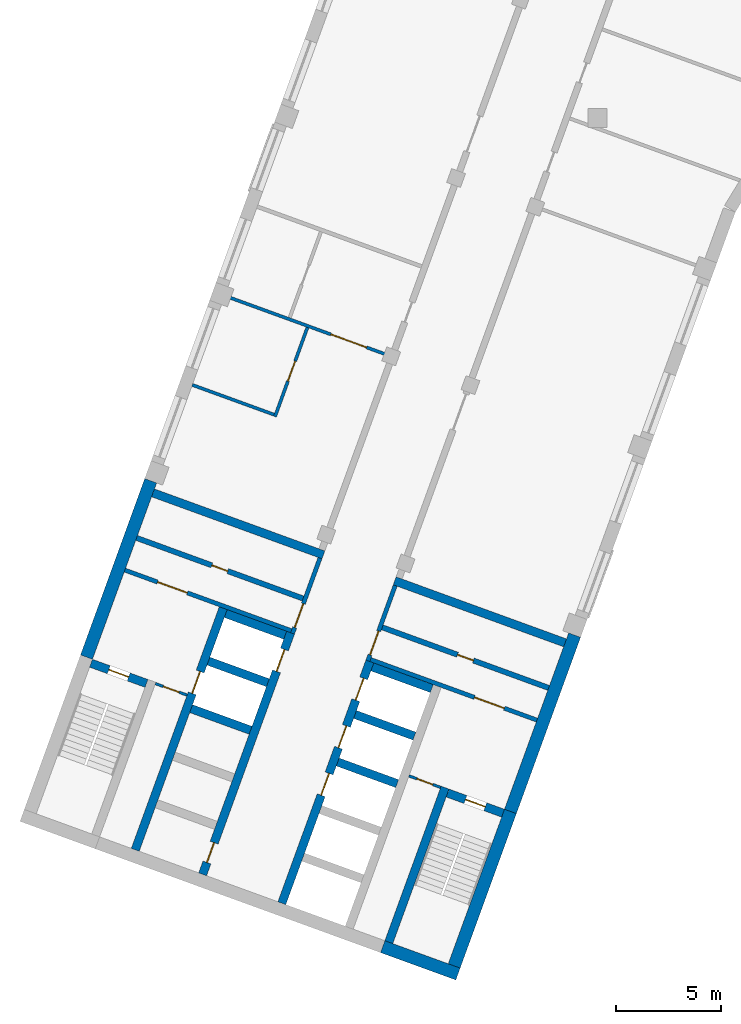
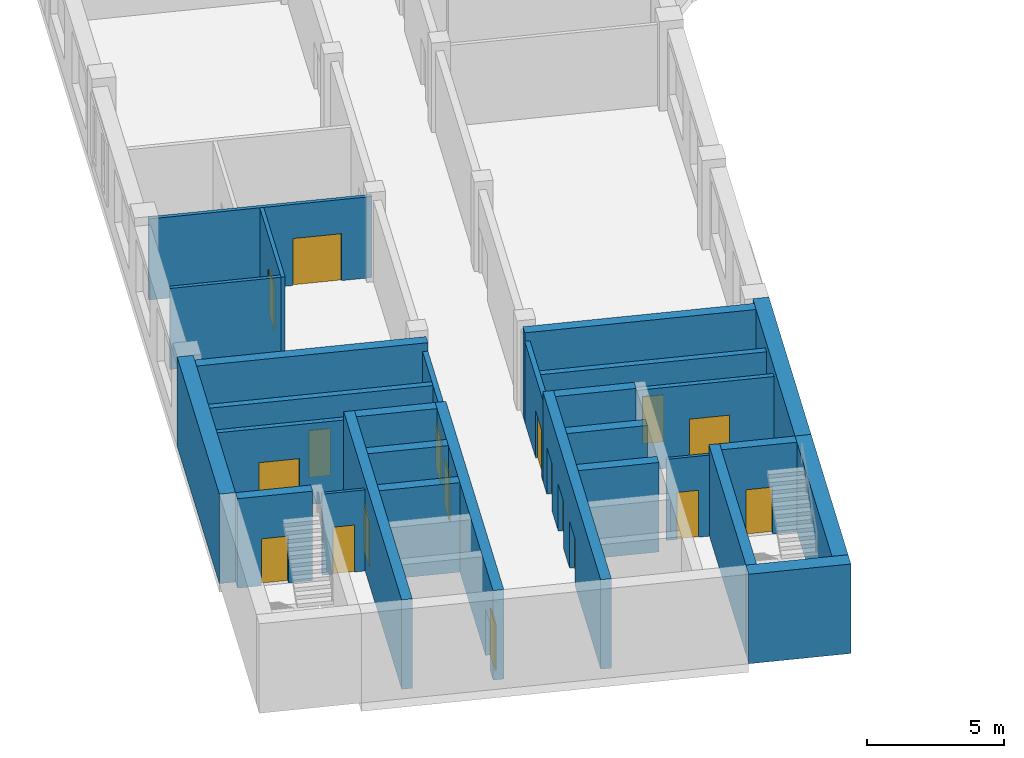
# One storey, part 2 of 12: 29 walls, 18 doors, 18 openings.
"""IFC4 building model written with IfcOpenShell, lengths in metres."""

from ifc_helpers import new_model, si_unit, direction, frame, frame_2d, origin, place, context, subcontext, project, spatial, rectangle, extrude, material, layer, layer_set, type_object, element, fill, save


model = new_model("IFC4")

# Units and contexts
model_context = context("Model", 3, precision=1e-05, world=origin(), true_north=direction((0.0, 1.0)))
body_context = subcontext(model_context, "Body", "Model", "MODEL_VIEW")
ifc_project = project(units=[si_unit("LENGTHUNIT", "METRE"), si_unit("AREAUNIT", "SQUARE_METRE"), si_unit("VOLUMEUNIT", "CUBIC_METRE"), si_unit("PLANEANGLEUNIT", "RADIAN"), si_unit("MASSUNIT", "GRAM", prefix="KILO")], contexts=[model_context])

# Site, building, storey
site_placement = place(None, origin())
site = spatial("IfcSite", under=ifc_project, at=site_placement, CompositionType="ELEMENT")
building_placement = place(site_placement, origin())
building = spatial("IfcBuilding", under=site, at=building_placement, Name="Skarvind Civic Tower", CompositionType="ELEMENT")
storey_placement = place(building_placement, frame((0.0, 0.0, 47.5)))
storey = spatial("IfcBuildingStorey", under=building, at=storey_placement, Name="L10", CompositionType="ELEMENT", Elevation=47.5)

# Wall, opening, door
ifc_material_1 = material(Name="Fire-rated masonry partition", Category="masonry")
ifc_layer_1 = layer(ifc_material_1, 0.199951171875)
ifc_layer_set_1 = layer_set([ifc_layer_1], Name="Core enclosure wall 200")
wall_type_1 = type_object("IfcWallType", Name="Core enclosure wall 200", PredefinedType="PARTITIONING", material=ifc_layer_set_1)
wall_1_placement = place(storey_placement, frame((31.491455078125, 93.693359375, 0.0), z_axis=(0.0, 0.0, 1.0), x_axis=(0.341995824804, 0.939701471648, 0.0)))
wall_1 = element("IfcWall", 1, at=wall_1_placement, inside=storey, type_object=wall_type_1, Name="Core wall C2", PredefinedType="PARTITIONING", context=body_context, shape_type="SweptSolid", body=[
    extrude(rectangle(XDim=3.800048828125, YDim=0.199951171875, at=frame_2d((1.89990234375, 0.0))), origin(), (0.0, 0.0, 1.0), 3.625),
])
opening_1_placement = place(wall_1_placement, frame((0.300048828125, 0.0, 0.0)))
opening_1 = element("IfcOpeningElement", 2, at=opening_1_placement, cuts=wall_1, Name="Opening D-L10-C2-06", PredefinedType="OPENING", context=body_context, shape_type="SweptSolid", body=[
    extrude(rectangle(XDim=1.199951171875, YDim=2.10009765625, at=frame_2d((0.60009765625, 1.050048828125))), frame((0.0, 0.10986328125, 0.0), z_axis=(0.0, -1.0, 0.0), x_axis=(1.0, 0.0, 0.0)), (0.0, 0.0, 1.0), 0.219970703125),
])
ifc_material_2 = material(Name="Fire-rated steel door", Category="steel")
door_type_1 = type_object("IfcDoorType", Name="Core lobby door 1200", OperationType="NOTDEFINED", PredefinedType="DOOR", material=ifc_material_2)
door_1_placement = place(opening_1_placement, origin())
door_1 = element("IfcDoor", 3, at=door_1_placement, inside=storey, type_object=door_type_1, Name="Fire door", OperationType="DOUBLE_DOOR_SINGLE_SWING", OverallHeight=2.10009765625, OverallWidth=1.199951171875, PredefinedType="DOOR", context=body_context, shape_type="SweptSolid", body=[
    extrude(rectangle(XDim=1.199951171875, YDim=2.10009765625, at=frame_2d((0.60009765625, 1.050048828125))), frame((0.0, 0.02490234375, 0.0), z_axis=(0.0, -1.0, 0.0), x_axis=(1.0, 0.0, 0.0)), (0.0, 0.0, 1.0), 0.050048828125),
])
fill(opening_1, door_1)

wall_2_placement = place(storey_placement, frame((23.5380859375, 96.6943359375, 0.0), z_axis=(0.0, 0.0, 1.0), x_axis=(0.939691552312, -0.342023078919, 0.0)))
wall_2 = element("IfcWall", 4, at=wall_2_placement, inside=storey, type_object=wall_type_1, Name="Core wall C2", PredefinedType="PARTITIONING", context=body_context, shape_type="SweptSolid", body=[
    extrude(rectangle(XDim=8.400146484375, YDim=0.199951171875, at=frame_2d((4.2001953125, 0.0))), origin(), (0.0, 0.0, 1.0), 3.625),
])
opening_2_placement = place(wall_2_placement, frame((1.64990234375, 0.0, 0.0)))
opening_2 = element("IfcOpeningElement", 5, at=opening_2_placement, cuts=wall_2, Name="Opening D-L10-C2-07", PredefinedType="OPENING", context=body_context, shape_type="SweptSolid", body=[
    extrude(rectangle(XDim=1.5, YDim=2.10009765625, at=frame_2d((0.75, 1.050048828125))), frame((0.0, 0.10986328125, 0.0), z_axis=(0.0, -1.0, 0.0), x_axis=(1.0, 0.0, 0.0)), (0.0, 0.0, 1.0), 0.219970703125),
])
door_type_2 = type_object("IfcDoorType", Name="Fire door 1500", OperationType="NOTDEFINED", PredefinedType="DOOR", material=ifc_material_2)
door_2_placement = place(opening_2_placement, origin())
door_2 = element("IfcDoor", 6, at=door_2_placement, inside=storey, type_object=door_type_2, Name="Fire door", OperationType="DOUBLE_DOOR_SINGLE_SWING", OverallHeight=2.10009765625, OverallWidth=1.5, PredefinedType="DOOR", context=body_context, shape_type="SweptSolid", body=[
    extrude(rectangle(XDim=1.5, YDim=2.10009765625, at=frame_2d((0.75, 1.050048828125))), frame((0.0, 0.02490234375, 0.0), z_axis=(0.0, -1.0, 0.0), x_axis=(1.0, 0.0, 0.0)), (0.0, 0.0, 1.0), 0.050048828125),
])
fill(opening_2, door_2)

wall_3_placement = place(storey_placement, frame((36.36181640625, 95.96435546875, 0.0), z_axis=(0.0, 0.0, 1.0), x_axis=(-0.341995824804, -0.939701471648, 0.0)))
wall_3 = element("IfcWall", 7, at=wall_3_placement, inside=storey, type_object=wall_type_1, Name="Core wall C2", PredefinedType="PARTITIONING", context=body_context, shape_type="SweptSolid", body=[
    extrude(rectangle(XDim=3.800048828125, YDim=0.199951171875, at=frame_2d((1.89990234375, 0.0))), origin(), (0.0, 0.0, 1.0), 3.625),
])
opening_3_placement = place(wall_3_placement, frame((2.300048828125, 0.0, 0.0)))
opening_3 = element("IfcOpeningElement", 8, at=opening_3_placement, cuts=wall_3, Name="Opening D-L10-C2-11", PredefinedType="OPENING", context=body_context, shape_type="SweptSolid", body=[
    extrude(rectangle(XDim=1.199951171875, YDim=2.10009765625, at=frame_2d((0.60009765625, 1.050048828125))), frame((0.0, 0.10986328125, 0.0), z_axis=(0.0, -1.0, 0.0), x_axis=(1.0, 0.0, 0.0)), (0.0, 0.0, 1.0), 0.219970703125),
])
door_3_placement = place(opening_3_placement, origin())
door_3 = element("IfcDoor", 9, at=door_3_placement, inside=storey, type_object=door_type_1, Name="Fire door", OperationType="DOUBLE_DOOR_SINGLE_SWING", OverallHeight=2.10009765625, OverallWidth=1.199951171875, PredefinedType="DOOR", context=body_context, shape_type="SweptSolid", body=[
    extrude(rectangle(XDim=1.199951171875, YDim=2.10009765625, at=frame_2d((0.60009765625, 1.050048828125))), frame((0.0, 0.02490234375, 0.0), z_axis=(0.0, -1.0, 0.0), x_axis=(1.0, 0.0, 0.0)), (0.0, 0.0, 1.0), 0.050048828125),
])
fill(opening_3, door_3)

wall_4_placement = place(storey_placement, frame((35.1904296875, 92.453369140625, 0.0), z_axis=(0.0, 0.0, 1.0), x_axis=(0.939691552312, -0.342023078919, 0.0)))
wall_4 = element("IfcWall", 10, at=wall_4_placement, inside=storey, type_object=wall_type_1, Name="Core wall C2", PredefinedType="PARTITIONING", context=body_context, shape_type="SweptSolid", body=[
    extrude(rectangle(XDim=8.400146484375, YDim=0.199951171875, at=frame_2d((4.2001953125, 0.0))), origin(), (0.0, 0.0, 1.0), 3.625),
])
opening_4_placement = place(wall_4_placement, frame((5.25, 0.0, 0.0)))
opening_4 = element("IfcOpeningElement", 11, at=opening_4_placement, cuts=wall_4, Name="Opening D-L10-C2-12", PredefinedType="OPENING", context=body_context, shape_type="SweptSolid", body=[
    extrude(rectangle(XDim=1.5, YDim=2.10009765625, at=frame_2d((0.75, 1.050048828125))), frame((0.0, 0.10986328125, 0.0), z_axis=(0.0, -1.0, 0.0), x_axis=(1.0, 0.0, 0.0)), (0.0, 0.0, 1.0), 0.219970703125),
])
door_4_placement = place(opening_4_placement, origin())
door_4 = element("IfcDoor", 12, at=door_4_placement, inside=storey, type_object=door_type_2, Name="Fire door", OperationType="DOUBLE_DOOR_SINGLE_SWING", OverallHeight=2.10009765625, OverallWidth=1.5, PredefinedType="DOOR", context=body_context, shape_type="SweptSolid", body=[
    extrude(rectangle(XDim=1.5, YDim=2.10009765625, at=frame_2d((0.75, 1.050048828125))), frame((0.0, 0.02490234375, 0.0), z_axis=(0.0, -1.0, 0.0), x_axis=(1.0, 0.0, 0.0)), (0.0, 0.0, 1.0), 0.050048828125),
])
fill(opening_4, door_4)

# Wall
ifc_material_3 = material(Name="Concrete C80", Category="concrete")
ifc_layer_2 = layer(ifc_material_3, 0.39990234375)
ifc_layer_set_2 = layer_set([ifc_layer_2], Name="Core wall 400 C80")
wall_type_2 = type_object("IfcWallType", Name="Core wall 400 C80", PredefinedType="SHEAR", material=ifc_layer_set_2)
wall_5_placement = place(storey_placement, frame((36.057861328125, 79.04833984375, 0.0), z_axis=(0.0, 0.0, 1.0), x_axis=(0.342016982193, 0.939693771338, 0.0)))
element("IfcWall", 13, at=wall_5_placement, inside=storey, type_object=wall_type_2, Name="Core wall C2 south stair inner L10", PredefinedType="SHEAR", context=body_context, shape_type="SweptSolid", body=[
    extrude(rectangle(XDim=7.800048828125, YDim=0.39990234375, at=frame_2d((3.89990234375, 0.0))), origin(), (0.0, 0.0, 1.0), 4.0),
])

# Wall, opening, door
wall_6_placement = place(storey_placement, frame((41.476318359375, 85.163818359375, 0.0), z_axis=(0.0, 0.0, 1.0), x_axis=(-0.939678810556, 0.342058084236, 0.0)))
wall_6 = element("IfcWall", 14, at=wall_6_placement, inside=storey, type_object=wall_type_2, Name="Core wall C2 south stair end L10", PredefinedType="SHEAR", context=body_context, shape_type="SweptSolid", body=[
    extrude(rectangle(XDim=2.800048828125, YDim=0.39990234375, at=frame_2d((1.39990234375, 0.0))), origin(), (0.0, 0.0, 1.0), 4.0),
])
opening_5_placement = place(wall_6_placement, frame((0.89990234375, 0.0, 0.0)))
opening_5 = element("IfcOpeningElement", 15, at=opening_5_placement, cuts=wall_6, Name="Opening D-L10-C2-13", PredefinedType="OPENING", context=body_context, shape_type="SweptSolid", body=[
    extrude(rectangle(XDim=1.0, YDim=2.10009765625, at=frame_2d((0.5, 1.050048828125))), frame((0.0, 0.2099609375, 0.0), z_axis=(0.0, -1.0, 0.0), x_axis=(1.0, 0.0, 0.0)), (0.0, 0.0, 1.0), 0.419921875),
])
door_type_3 = type_object("IfcDoorType", Name="Fire door 1000", OperationType="NOTDEFINED", PredefinedType="DOOR", material=ifc_material_2)
door_5_placement = place(opening_5_placement, origin())
door_5 = element("IfcDoor", 16, at=door_5_placement, inside=storey, type_object=door_type_3, Name="Fire door", OperationType="SINGLE_SWING_RIGHT", OverallHeight=2.10009765625, OverallWidth=1.0, PredefinedType="DOOR", context=body_context, shape_type="SweptSolid", body=[
    extrude(rectangle(XDim=1.0, YDim=2.10009765625, at=frame_2d((0.5, 1.050048828125))), frame((0.0, 0.02490234375, 0.0), z_axis=(0.0, -1.0, 0.0), x_axis=(1.0, 0.0, 0.0)), (0.0, 0.0, 1.0), 0.050048828125),
])
fill(opening_5, door_5)

wall_7_placement = place(storey_placement, frame((24.56201171875, 91.3203125, 0.0), z_axis=(0.0, 0.0, 1.0), x_axis=(-0.939717030584, 0.341953070509, 0.0)))
wall_7 = element("IfcWall", 17, at=wall_7_placement, inside=storey, type_object=wall_type_2, Name="Core wall C2 north stair end L10", PredefinedType="SHEAR", context=body_context, shape_type="SweptSolid", body=[
    extrude(rectangle(XDim=2.800048828125, YDim=0.39990234375, at=frame_2d((1.39990234375, 0.0))), origin(), (0.0, 0.0, 1.0), 4.0),
])
opening_6_placement = place(wall_7_placement, frame((0.89990234375, 0.0, 0.0)))
opening_6 = element("IfcOpeningElement", 18, at=opening_6_placement, cuts=wall_7, Name="Opening D-L10-C2-08", PredefinedType="OPENING", context=body_context, shape_type="SweptSolid", body=[
    extrude(rectangle(XDim=1.0, YDim=2.10009765625, at=frame_2d((0.5, 1.050048828125))), frame((0.0, 0.2099609375, 0.0), z_axis=(0.0, -1.0, 0.0), x_axis=(1.0, 0.0, 0.0)), (0.0, 0.0, 1.0), 0.419921875),
])
door_6_placement = place(opening_6_placement, origin())
door_6 = element("IfcDoor", 19, at=door_6_placement, inside=storey, type_object=door_type_3, Name="Fire door", OperationType="SINGLE_SWING_LEFT", OverallHeight=2.10009765625, OverallWidth=1.0, PredefinedType="DOOR", context=body_context, shape_type="SweptSolid", body=[
    extrude(rectangle(XDim=1.0, YDim=2.10009765625, at=frame_2d((0.5, 1.050048828125))), frame((0.0, 0.02490234375, 0.0), z_axis=(0.0, -1.0, 0.0), x_axis=(1.0, 0.0, 0.0)), (0.0, 0.0, 1.0), 0.050048828125),
])
fill(opening_6, door_6)

# Wall, openings, doors
wall_8_placement = place(storey_placement, frame((30.983642578125, 80.895263671875, 0.0), z_axis=(0.0, 0.0, 1.0), x_axis=(0.342021021735, 0.939692301071, 0.0)))
wall_8 = element("IfcWall", 20, at=wall_8_placement, inside=storey, type_object=wall_type_2, Name="Core wall C2 south lift row front L10", PredefinedType="SHEAR", context=body_context, shape_type="SweptSolid", body=[
    extrude(rectangle(XDim=12.199951171875, YDim=0.39990234375, at=frame_2d((6.10009765625, 0.0))), origin(), (0.0, 0.0, 1.0), 4.0),
])
opening_7_placement = place(wall_8_placement, frame((5.449951171875, 0.0, 0.0)))
opening_7 = element("IfcOpeningElement", 21, at=opening_7_placement, cuts=wall_8, Name="Opening LD12208", PredefinedType="OPENING", context=body_context, shape_type="SweptSolid", body=[
    extrude(rectangle(XDim=1.10009765625, YDim=2.10009765625, at=frame_2d((0.550048828125, 1.050048828125))), frame((0.0, 0.2099609375, 0.0), z_axis=(0.0, -1.0, 0.0), x_axis=(1.0, 0.0, 0.0)), (0.0, 0.0, 1.0), 0.419921875),
])
opening_8_placement = place(wall_8_placement, frame((7.85009765625, 0.0, 0.0)))
opening_8 = element("IfcOpeningElement", 22, at=opening_8_placement, cuts=wall_8, Name="Opening LD12209", PredefinedType="OPENING", context=body_context, shape_type="SweptSolid", body=[
    extrude(rectangle(XDim=1.10009765625, YDim=2.10009765625, at=frame_2d((0.550048828125, 1.050048828125))), frame((0.0, 0.2099609375, 0.0), z_axis=(0.0, -1.0, 0.0), x_axis=(1.0, 0.0, 0.0)), (0.0, 0.0, 1.0), 0.419921875),
])
opening_9_placement = place(wall_8_placement, frame((10.25, 0.0, 0.0)))
opening_9 = element("IfcOpeningElement", 23, at=opening_9_placement, cuts=wall_8, Name="Opening LD12210", PredefinedType="OPENING", context=body_context, shape_type="SweptSolid", body=[
    extrude(rectangle(XDim=1.10009765625, YDim=2.10009765625, at=frame_2d((0.550048828125, 1.050048828125))), frame((0.0, 0.2099609375, 0.0), z_axis=(0.0, -1.0, 0.0), x_axis=(1.0, 0.0, 0.0)), (0.0, 0.0, 1.0), 0.419921875),
])
ifc_material_4 = material(Name="Stainless steel landing door", Category="steel")
door_type_4 = type_object("IfcDoorType", Name="Lift landing door 1100", OperationType="DOUBLE_DOOR_SLIDING", PredefinedType="DOOR", material=ifc_material_4)
door_7_placement = place(opening_7_placement, origin())
door_7 = element("IfcDoor", 24, at=door_7_placement, inside=storey, type_object=door_type_4, Name="Lift landing door", OperationType="DOUBLE_DOOR_SLIDING", OverallHeight=2.10009765625, OverallWidth=1.10009765625, PredefinedType="DOOR", context=body_context, shape_type="SweptSolid", body=[
    extrude(rectangle(XDim=1.10009765625, YDim=2.10009765625, at=frame_2d((0.550048828125, 1.050048828125))), frame((0.0, 0.02490234375, 0.0), z_axis=(0.0, -1.0, 0.0), x_axis=(1.0, 0.0, 0.0)), (0.0, 0.0, 1.0), 0.050048828125),
])
fill(opening_7, door_7)
door_8_placement = place(opening_8_placement, origin())
door_8 = element("IfcDoor", 25, at=door_8_placement, inside=storey, type_object=door_type_4, Name="Lift landing door", OperationType="DOUBLE_DOOR_SLIDING", OverallHeight=2.10009765625, OverallWidth=1.10009765625, PredefinedType="DOOR", context=body_context, shape_type="SweptSolid", body=[
    extrude(rectangle(XDim=1.10009765625, YDim=2.10009765625, at=frame_2d((0.550048828125, 1.050048828125))), frame((0.0, 0.02490234375, 0.0), z_axis=(0.0, -1.0, 0.0), x_axis=(1.0, 0.0, 0.0)), (0.0, 0.0, 1.0), 0.050048828125),
])
fill(opening_8, door_8)
door_9_placement = place(opening_9_placement, origin())
door_9 = element("IfcDoor", 26, at=door_9_placement, inside=storey, type_object=door_type_4, Name="Lift landing door", OperationType="DOUBLE_DOOR_SLIDING", OverallHeight=2.10009765625, OverallWidth=1.10009765625, PredefinedType="DOOR", context=body_context, shape_type="SweptSolid", body=[
    extrude(rectangle(XDim=1.10009765625, YDim=2.10009765625, at=frame_2d((0.550048828125, 1.050048828125))), frame((0.0, 0.02490234375, 0.0), z_axis=(0.0, -1.0, 0.0), x_axis=(1.0, 0.0, 0.0)), (0.0, 0.0, 1.0), 0.050048828125),
])
fill(opening_9, door_9)

# Walls
for number, where, z_axis, x_axis, name in (
    (27, (36.453125, 86.56640625, 0.0), (0.0, 0.0, 1.0), (-0.939686455819, 0.342037080957, 0.0), "Core wall C2 south lift row division 3 L10"),
    (28, (37.27392578125, 88.82177734375, 0.0), (0.0, 0.0, 1.0), (-0.939686455819, 0.342037080957, 0.0), "Core wall C2 south lift row division 4 L10"),
):
    element("IfcWall", number, at=place(storey_placement, frame(where, z_axis=z_axis, x_axis=x_axis)), inside=storey, type_object=wall_type_2, Name=name, PredefinedType="SHEAR", context=body_context, shape_type="SweptSolid", body=[
        extrude(rectangle(XDim=3.0, YDim=0.39990234375, at=frame_2d((1.5, 0.0))), origin(), (0.0, 0.0, 1.0), 4.0),
    ])
wall_9_placement = place(storey_placement, frame((38.0947265625, 91.076904296875, 0.0), z_axis=(0.0, 0.0, 1.0), x_axis=(-0.939676934218, 0.342063238742, 0.0)))
element("IfcWall", 29, at=wall_9_placement, inside=storey, type_object=wall_type_2, Name="Core wall C2 south lift row division 5 L10", PredefinedType="SHEAR", context=body_context, shape_type="SweptSolid", body=[
    extrude(rectangle(XDim=2.999755859375, YDim=0.39990234375, at=frame_2d((1.5, 0.0))), origin(), (0.0, 0.0, 1.0), 4.0),
])

# Wall, openings, doors
wall_10_placement = place(storey_placement, frame((27.224853515625, 82.26318359375, 0.0), z_axis=(0.0, 0.0, 1.0), x_axis=(0.342014590177, 0.939694641948, 0.0)))
wall_10 = element("IfcWall", 30, at=wall_10_placement, inside=storey, type_object=wall_type_2, Name="Core wall C2 north lift row front L10", PredefinedType="SHEAR", context=body_context, shape_type="SweptSolid", body=[
    extrude(rectangle(XDim=12.2001953125, YDim=0.39990234375, at=frame_2d((6.10009765625, 0.0))), origin(), (0.0, 0.0, 1.0), 4.0),
])
opening_10_placement = place(wall_10_placement, frame((10.25, 0.0, 0.0)))
opening_10 = element("IfcOpeningElement", 31, at=opening_10_placement, cuts=wall_10, Name="Opening LD12205", PredefinedType="OPENING", context=body_context, shape_type="SweptSolid", body=[
    extrude(rectangle(XDim=1.10009765625, YDim=2.10009765625, at=frame_2d((0.550048828125, 1.050048828125))), frame((0.0, 0.2099609375, 0.0), z_axis=(0.0, -1.0, 0.0), x_axis=(1.0, 0.0, 0.0)), (0.0, 0.0, 1.0), 0.419921875),
])
opening_11_placement = place(wall_10_placement, frame((0.60009765625, 0.0, 0.0)))
opening_11 = element("IfcOpeningElement", 32, at=opening_11_placement, cuts=wall_10, Name="Opening D-L10-C2-05", PredefinedType="OPENING", context=body_context, shape_type="SweptSolid", body=[
    extrude(rectangle(XDim=1.0, YDim=2.10009765625, at=frame_2d((0.5, 1.050048828125))), frame((0.0, 0.2099609375, 0.0), z_axis=(0.0, -1.0, 0.0), x_axis=(1.0, 0.0, 0.0)), (0.0, 0.0, 1.0), 0.419921875),
])
door_10_placement = place(opening_11_placement, origin())
door_10 = element("IfcDoor", 33, at=door_10_placement, inside=storey, type_object=door_type_3, Name="Fire door", OperationType="SINGLE_SWING_LEFT", OverallHeight=2.10009765625, OverallWidth=1.0, PredefinedType="DOOR", context=body_context, shape_type="SweptSolid", body=[
    extrude(rectangle(XDim=1.0, YDim=2.10009765625, at=frame_2d((0.5, 1.050048828125))), frame((0.0, 0.02490234375, 0.0), z_axis=(0.0, -1.0, 0.0), x_axis=(1.0, 0.0, 0.0)), (0.0, 0.0, 1.0), 0.050048828125),
])
fill(opening_11, door_10)
door_11_placement = place(opening_10_placement, origin())
door_11 = element("IfcDoor", 34, at=door_11_placement, inside=storey, type_object=door_type_4, Name="Lift landing door", OperationType="DOUBLE_DOOR_SLIDING", OverallHeight=2.10009765625, OverallWidth=1.10009765625, PredefinedType="DOOR", context=body_context, shape_type="SweptSolid", body=[
    extrude(rectangle(XDim=1.10009765625, YDim=2.10009765625, at=frame_2d((0.550048828125, 1.050048828125))), frame((0.0, 0.02490234375, 0.0), z_axis=(0.0, -1.0, 0.0), x_axis=(1.0, 0.0, 0.0)), (0.0, 0.0, 1.0), 0.050048828125),
])
fill(opening_10, door_11)

# Wall, opening, door
wall_11_placement = place(storey_placement, frame((24.02978515625, 83.426025390625, 0.0), z_axis=(0.0, 0.0, 1.0), x_axis=(0.342014590177, 0.939694641948, 0.0)))
wall_11 = element("IfcWall", 35, at=wall_11_placement, inside=storey, type_object=wall_type_2, Name="Core wall C2 north lift row back L10", PredefinedType="SHEAR", context=body_context, shape_type="SweptSolid", body=[
    extrude(rectangle(XDim=12.2001953125, YDim=0.39990234375, at=frame_2d((6.10009765625, 0.0))), origin(), (0.0, 0.0, 1.0), 4.0),
])
opening_12_placement = place(wall_11_placement, frame((7.89990234375, 0.0, 0.0)))
opening_12 = element("IfcOpeningElement", 36, at=opening_12_placement, cuts=wall_11, Name="Opening LD12204", PredefinedType="OPENING", context=body_context, shape_type="SweptSolid", body=[
    extrude(rectangle(XDim=1.10009765625, YDim=2.10009765625, at=frame_2d((0.550048828125, 1.050048828125))), frame((0.0, 0.2099609375, 0.0), z_axis=(0.0, -1.0, 0.0), x_axis=(1.0, 0.0, 0.0)), (0.0, 0.0, 1.0), 0.419921875),
])
door_12_placement = place(opening_12_placement, origin())
door_12 = element("IfcDoor", 37, at=door_12_placement, inside=storey, type_object=door_type_4, Name="Lift landing door", OperationType="DOUBLE_DOOR_SLIDING", OverallHeight=2.10009765625, OverallWidth=1.10009765625, PredefinedType="DOOR", context=body_context, shape_type="SweptSolid", body=[
    extrude(rectangle(XDim=1.10009765625, YDim=2.10009765625, at=frame_2d((0.550048828125, 1.050048828125))), frame((0.0, 0.02490234375, 0.0), z_axis=(0.0, -1.0, 0.0), x_axis=(1.0, 0.0, 0.0)), (0.0, 0.0, 1.0), 0.050048828125),
])
fill(opening_12, door_12)

# Walls
for number, where, z_axis, x_axis, name in (
    (38, (29.49951171875, 89.097412109375, 0.0), (0.0, 0.0, 1.0), (-0.939686455819, 0.342037080957, 0.0), "Core wall C2 north lift row division 3 L10"),
    (39, (30.3203125, 91.352783203125, 0.0), (0.0, 0.0, 1.0), (-0.939712609717, 0.341965219194, 0.0), "Core wall C2 north lift row division 4 L10"),
    (40, (31.14111328125, 93.60791015625, 0.0), (0.0, 0.0, 1.0), (-0.939686455819, 0.342037080957, 0.0), "Core wall C2 north lift row division 5 L10"),
):
    element("IfcWall", number, at=place(storey_placement, frame(where, z_axis=z_axis, x_axis=x_axis)), inside=storey, type_object=wall_type_2, Name=name, PredefinedType="SHEAR", context=body_context, shape_type="SweptSolid", body=[
        extrude(rectangle(XDim=3.0, YDim=0.39990234375, at=frame_2d((1.5, 0.0))), origin(), (0.0, 0.0, 1.0), 4.0),
    ])
for number, where, z_axis, x_axis, name in (
    (41, (44.417724609375, 93.2451171875, 0.0), (0.0, 0.0, 1.0), (-0.93969060187, 0.342025690201, 0.0), "Core wall C2 south inner face L10"),
    (42, (32.953369140625, 97.417724609375, 0.0), (0.0, 0.0, 1.0), (-0.93969060187, 0.342025690201, 0.0), "Core wall C2 north inner face L10"),
):
    element("IfcWall", number, at=place(storey_placement, frame(where, z_axis=z_axis, x_axis=x_axis)), inside=storey, type_object=wall_type_2, Name=name, PredefinedType="SHEAR", context=body_context, shape_type="SweptSolid", body=[
        extrude(rectangle(XDim=8.599853515625, YDim=0.39990234375, at=frame_2d((4.2998046875, 0.0))), origin(), (0.0, 0.0, 1.0), 4.0),
    ])
ifc_layer_3 = layer(ifc_material_3, 0.60009765625)
ifc_layer_set_3 = layer_set([ifc_layer_3], Name="Core wall 600 C80")
wall_type_3 = type_object("IfcWallType", Name="Core wall 600 C80", PredefinedType="SHEAR", material=ifc_layer_set_3)
wall_12_placement = place(storey_placement, frame((39.338134765625, 77.53515625, 0.0), z_axis=(0.0, 0.0, 1.0), x_axis=(-0.939701471648, 0.341995824804, 0.0)))
element("IfcWall", 43, at=wall_12_placement, inside=storey, type_object=wall_type_3, Name="Core wall C2 tip at the south stair L10", PredefinedType="SHEAR", context=body_context, shape_type="SweptSolid", body=[
    extrude(rectangle(XDim=3.800048828125, YDim=0.60009765625, at=frame_2d((1.89990234375, 0.0))), origin(), (0.0, 0.0, 1.0), 4.0),
])
wall_13_placement = place(storey_placement, frame((39.158935546875, 77.919677734375, 0.0), z_axis=(0.0, 0.0, 1.0), x_axis=(0.342016982193, 0.939693771338, 0.0)))
element("IfcWall", 44, at=wall_13_placement, inside=storey, type_object=wall_type_3, Name="Core wall C2 south side at the stair L10", PredefinedType="SHEAR", context=body_context, shape_type="SweptSolid", body=[
    extrude(rectangle(XDim=7.800048828125, YDim=0.60009765625, at=frame_2d((3.89990234375, 0.0))), origin(), (0.0, 0.0, 1.0), 4.0),
])
for number, where, z_axis, x_axis, name in (
    (45, (41.82666015625, 85.249267578125, 0.0), (0.0, 0.0, 1.0), (0.342016162452, 0.939694069696, 0.0), "Core wall C2 south side L10"),
    (46, (21.71728515625, 92.568359375, 0.0), (0.0, 0.0, 1.0), (0.342016162452, 0.939694069696, 0.0), "Core wall C2 north side L10"),
):
    element("IfcWall", number, at=place(storey_placement, frame(where, z_axis=z_axis, x_axis=x_axis)), inside=storey, type_object=wall_type_3, Name=name, PredefinedType="SHEAR", context=body_context, shape_type="SweptSolid", body=[
        extrude(rectangle(XDim=8.89990234375, YDim=0.60009765625, at=frame_2d((4.449951171875, 0.0))), origin(), (0.0, 0.0, 1.0), 4.0),
    ])
ifc_material_5 = material(Name="Plasterboard partition on steel studs", Category="steel")
ifc_layer_4 = layer(ifc_material_5, 0.14990234375)
ifc_layer_set_4 = layer_set([ifc_layer_4], Name="PARTITION 150")
wall_type_4 = type_object("IfcWallType", Name="PARTITION 150", PredefinedType="PARTITIONING", material=ifc_layer_set_4)
wall_14_placement = place(storey_placement, frame((26.736083984375, 105.47998046875, 0.0), z_axis=(0.0, 0.0, 1.0), x_axis=(0.939784783713, -0.341766821533, 0.0)))
element("IfcWall", 47, at=wall_14_placement, inside=storey, type_object=wall_type_4, Name="Partition 10.001", PredefinedType="PARTITIONING", context=body_context, shape_type="SweptSolid", body=[
    extrude(rectangle(XDim=4.125244140625, YDim=0.14990234375, at=frame_2d((2.0625, 0.0))), origin(), (0.0, 0.0, 1.0), 3.625),
])

# Wall, opening, door
wall_15_placement = place(storey_placement, frame((28.27490234375, 109.708984375, 0.0), z_axis=(0.0, 0.0, 1.0), x_axis=(0.939697205528, -0.342007546586, 0.0)))
wall_15 = element("IfcWall", 48, at=wall_15_placement, inside=storey, type_object=wall_type_4, Name="Partition 10.002", PredefinedType="PARTITIONING", context=body_context, shape_type="SweptSolid", body=[
    extrude(rectangle(XDim=8.300537109375, YDim=0.14990234375, at=frame_2d((4.150390625, 0.0))), origin(), (0.0, 0.0, 1.0), 3.625),
])
opening_13_placement = place(wall_15_placement, frame((5.360595703125, 0.0, 0.0)))
opening_13 = element("IfcOpeningElement", 49, at=opening_13_placement, cuts=wall_15, Name="Opening L10-D019", PredefinedType="OPENING", context=body_context, shape_type="SweptSolid", body=[
    extrude(rectangle(XDim=1.800048828125, YDim=2.10009765625, at=frame_2d((0.89990234375, 1.050048828125))), frame((0.0, 0.0849609375, 0.0), z_axis=(0.0, -1.0, 0.0), x_axis=(1.0, 0.0, 0.0)), (0.0, 0.0, 1.0), 0.169921875),
])
ifc_material_6 = material(Name="Timber door leaf", Category="wood")
door_type_5 = type_object("IfcDoorType", Name="D4 1800x2100", OperationType="NOTDEFINED", PredefinedType="DOOR", material=ifc_material_6)
door_13_placement = place(opening_13_placement, origin())
door_13 = element("IfcDoor", 50, at=door_13_placement, inside=storey, type_object=door_type_5, Name="Door L10-D019", OperationType="DOUBLE_DOOR_SINGLE_SWING", OverallHeight=2.10009765625, OverallWidth=1.800048828125, PredefinedType="DOOR", context=body_context, shape_type="SweptSolid", body=[
    extrude(rectangle(XDim=1.800048828125, YDim=2.10009765625, at=frame_2d((0.89990234375, 1.050048828125))), frame((0.0, 0.02490234375, 0.0), z_axis=(0.0, -1.0, 0.0), x_axis=(1.0, 0.0, 0.0)), (0.0, 0.0, 1.0), 0.050048828125),
])
fill(opening_13, door_13)

wall_16_placement = place(storey_placement, frame((32.196044921875, 108.202880859375, 0.0), z_axis=(0.0, 0.0, 1.0), x_axis=(-0.34200440972, -0.939698347201, 0.0)))
wall_16 = element("IfcWall", 51, at=wall_16_placement, inside=storey, type_object=wall_type_4, Name="Partition 10.004", PredefinedType="PARTITIONING", context=body_context, shape_type="SweptSolid", body=[
    extrude(rectangle(XDim=4.500244140625, YDim=0.14990234375, at=frame_2d((2.25, 0.0))), origin(), (0.0, 0.0, 1.0), 3.625),
])
opening_14_placement = place(wall_16_placement, frame((1.70263671875, 0.0, 0.0)))
opening_14 = element("IfcOpeningElement", 52, at=opening_14_placement, cuts=wall_16, Name="Opening L10-D017", PredefinedType="OPENING", context=body_context, shape_type="SweptSolid", body=[
    extrude(rectangle(XDim=1.0, YDim=2.10009765625, at=frame_2d((0.5, 1.050048828125))), frame((0.0, 0.0849609375, 0.0), z_axis=(0.0, -1.0, 0.0), x_axis=(1.0, 0.0, 0.0)), (0.0, 0.0, 1.0), 0.169921875),
])
door_type_6 = type_object("IfcDoorType", Name="D1 1000x2100", OperationType="NOTDEFINED", PredefinedType="DOOR", material=ifc_material_6)
door_14_placement = place(opening_14_placement, origin())
door_14 = element("IfcDoor", 53, at=door_14_placement, inside=storey, type_object=door_type_6, Name="Door L10-D017", OperationType="SINGLE_SWING_LEFT", OverallHeight=2.10009765625, OverallWidth=1.0, PredefinedType="DOOR", context=body_context, shape_type="SweptSolid", body=[
    extrude(rectangle(XDim=1.0, YDim=2.10009765625, at=frame_2d((0.5, 1.050048828125))), frame((0.0, 0.02490234375, 0.0), z_axis=(0.0, -1.0, 0.0), x_axis=(1.0, 0.0, 0.0)), (0.0, 0.0, 1.0), 0.050048828125),
])
fill(opening_14, door_14)

ifc_layer_5 = layer(ifc_material_1, 0.125)
ifc_layer_set_5 = layer_set([ifc_layer_5], Name="Riser wall 125")
wall_type_5 = type_object("IfcWallType", Name="Riser wall 125", PredefinedType="PARTITIONING", material=ifc_layer_set_5)
wall_17_placement = place(storey_placement, frame((24.98486328125, 91.3125, 0.0), z_axis=(0.0, 0.0, 1.0), x_axis=(0.939708740826, -0.341975850632, 0.0)))
wall_17 = element("IfcWall", 54, at=wall_17_placement, inside=storey, type_object=wall_type_5, Name="Core wall C2", PredefinedType="PARTITIONING", context=body_context, shape_type="SweptSolid", body=[
    extrude(rectangle(XDim=1.599853515625, YDim=0.125, at=frame_2d((0.7998046875, 0.0))), origin(), (0.0, 0.0, 1.0), 3.625),
])
opening_15_placement = place(wall_17_placement, frame((0.39990234375, 0.0, 0.0)))
opening_15 = element("IfcOpeningElement", 55, at=opening_15_placement, cuts=wall_17, Name="Opening D-L10-C2-09", PredefinedType="OPENING", context=body_context, shape_type="SweptSolid", body=[
    extrude(rectangle(XDim=0.800048828125, YDim=2.10009765625, at=frame_2d((0.39990234375, 1.050048828125))), frame((0.0, 0.072509765625, 0.0), z_axis=(0.0, -1.0, 0.0), x_axis=(1.0, 0.0, 0.0)), (0.0, 0.0, 1.0), 0.14501953125),
])
door_type_7 = type_object("IfcDoorType", Name="Core riser door 800", OperationType="NOTDEFINED", PredefinedType="DOOR", material=ifc_material_2)
door_15_placement = place(opening_15_placement, origin())
door_15 = element("IfcDoor", 56, at=door_15_placement, inside=storey, type_object=door_type_7, Name="Riser door", OperationType="SINGLE_SWING_RIGHT", OverallHeight=2.10009765625, OverallWidth=0.800048828125, PredefinedType="DOOR", context=body_context, shape_type="SweptSolid", body=[
    extrude(rectangle(XDim=0.800048828125, YDim=2.10009765625, at=frame_2d((0.39990234375, 1.050048828125))), frame((0.0, 0.02490234375, 0.0), z_axis=(0.0, -1.0, 0.0), x_axis=(1.0, 0.0, 0.0)), (0.0, 0.0, 1.0), 0.050048828125),
])
fill(opening_15, door_15)

wall_18_placement = place(storey_placement, frame((37.012939453125, 86.934814453125, 0.0), z_axis=(0.0, 0.0, 1.0), x_axis=(0.939659694648, -0.342110593602, 0.0)))
wall_18 = element("IfcWall", 57, at=wall_18_placement, inside=storey, type_object=wall_type_5, Name="Core wall C2", PredefinedType="PARTITIONING", context=body_context, shape_type="SweptSolid", body=[
    extrude(rectangle(XDim=1.599853515625, YDim=0.125, at=frame_2d((0.7998046875, 0.0))), origin(), (0.0, 0.0, 1.0), 3.625),
])
opening_16_placement = place(wall_18_placement, frame((0.39990234375, 0.0, 0.0)))
opening_16 = element("IfcOpeningElement", 58, at=opening_16_placement, cuts=wall_18, Name="Opening D-L10-C2-14", PredefinedType="OPENING", context=body_context, shape_type="SweptSolid", body=[
    extrude(rectangle(XDim=0.800048828125, YDim=2.10009765625, at=frame_2d((0.39990234375, 1.050048828125))), frame((0.0, 0.072509765625, 0.0), z_axis=(0.0, -1.0, 0.0), x_axis=(1.0, 0.0, 0.0)), (0.0, 0.0, 1.0), 0.14501953125),
])
door_16_placement = place(opening_16_placement, origin())
door_16 = element("IfcDoor", 59, at=door_16_placement, inside=storey, type_object=door_type_7, Name="Riser door", OperationType="SINGLE_SWING_LEFT", OverallHeight=2.10009765625, OverallWidth=0.800048828125, PredefinedType="DOOR", context=body_context, shape_type="SweptSolid", body=[
    extrude(rectangle(XDim=0.800048828125, YDim=2.10009765625, at=frame_2d((0.39990234375, 1.050048828125))), frame((0.0, 0.02490234375, 0.0), z_axis=(0.0, -1.0, 0.0), x_axis=(1.0, 0.0, 0.0)), (0.0, 0.0, 1.0), 0.050048828125),
])
fill(opening_16, door_16)

ifc_layer_6 = layer(ifc_material_1, 0.25)
ifc_layer_set_6 = layer_set([ifc_layer_6], Name="Service block wall 250")
wall_type_6 = type_object("IfcWallType", Name="Service block wall 250", PredefinedType="PARTITIONING", material=ifc_layer_set_6)
wall_19_placement = place(storey_placement, frame((24.093994140625, 98.221435546875, 0.0), z_axis=(0.0, 0.0, 1.0), x_axis=(0.939691552312, -0.342023078919, 0.0)))
wall_19 = element("IfcWall", 60, at=wall_19_placement, inside=storey, type_object=wall_type_6, Name="Core wall C2", PredefinedType="PARTITIONING", context=body_context, shape_type="SweptSolid", body=[
    extrude(rectangle(XDim=8.400146484375, YDim=0.25, at=frame_2d((4.2001953125, 0.0))), origin(), (0.0, 0.0, 1.0), 3.625),
])
opening_17_placement = place(wall_19_placement, frame((3.800048828125, 0.0, 0.0)))
opening_17 = element("IfcOpeningElement", 61, at=opening_17_placement, cuts=wall_19, Name="Opening D-L10-C2-10", PredefinedType="OPENING", context=body_context, shape_type="SweptSolid", body=[
    extrude(rectangle(XDim=0.800048828125, YDim=2.10009765625, at=frame_2d((0.39990234375, 1.050048828125))), frame((0.0, 0.135009765625, 0.0), z_axis=(0.0, -1.0, 0.0), x_axis=(1.0, 0.0, 0.0)), (0.0, 0.0, 1.0), 0.27001953125),
])
door_17_placement = place(opening_17_placement, origin())
door_17 = element("IfcDoor", 62, at=door_17_placement, inside=storey, type_object=door_type_7, Name="Riser door", OperationType="SINGLE_SWING_LEFT", OverallHeight=2.10009765625, OverallWidth=0.800048828125, PredefinedType="DOOR", context=body_context, shape_type="SweptSolid", body=[
    extrude(rectangle(XDim=0.800048828125, YDim=2.10009765625, at=frame_2d((0.39990234375, 1.050048828125))), frame((0.0, 0.02490234375, 0.0), z_axis=(0.0, -1.0, 0.0), x_axis=(1.0, 0.0, 0.0)), (0.0, 0.0, 1.0), 0.050048828125),
])
fill(opening_17, door_17)

wall_20_placement = place(storey_placement, frame((35.74609375, 93.98046875, 0.0), z_axis=(0.0, 0.0, 1.0), x_axis=(0.939691552312, -0.342023078919, 0.0)))
wall_20 = element("IfcWall", 63, at=wall_20_placement, inside=storey, type_object=wall_type_6, Name="Core wall C2", PredefinedType="PARTITIONING", context=body_context, shape_type="SweptSolid", body=[
    extrude(rectangle(XDim=8.400146484375, YDim=0.25, at=frame_2d((4.2001953125, 0.0))), origin(), (0.0, 0.0, 1.0), 3.625),
])
opening_18_placement = place(wall_20_placement, frame((3.800048828125, 0.0, 0.0)))
opening_18 = element("IfcOpeningElement", 64, at=opening_18_placement, cuts=wall_20, Name="Opening D-L10-C2-15", PredefinedType="OPENING", context=body_context, shape_type="SweptSolid", body=[
    extrude(rectangle(XDim=0.800048828125, YDim=2.10009765625, at=frame_2d((0.39990234375, 1.050048828125))), frame((0.0, 0.135009765625, 0.0), z_axis=(0.0, -1.0, 0.0), x_axis=(1.0, 0.0, 0.0)), (0.0, 0.0, 1.0), 0.27001953125),
])
door_18_placement = place(opening_18_placement, origin())
door_18 = element("IfcDoor", 65, at=door_18_placement, inside=storey, type_object=door_type_7, Name="Riser door", OperationType="SINGLE_SWING_RIGHT", OverallHeight=2.10009765625, OverallWidth=0.800048828125, PredefinedType="DOOR", context=body_context, shape_type="SweptSolid", body=[
    extrude(rectangle(XDim=0.800048828125, YDim=2.10009765625, at=frame_2d((0.39990234375, 1.050048828125))), frame((0.0, 0.02490234375, 0.0), z_axis=(0.0, -1.0, 0.0), x_axis=(1.0, 0.0, 0.0)), (0.0, 0.0, 1.0), 0.050048828125),
])
fill(opening_18, door_18)

save(model, "model.ifc")
